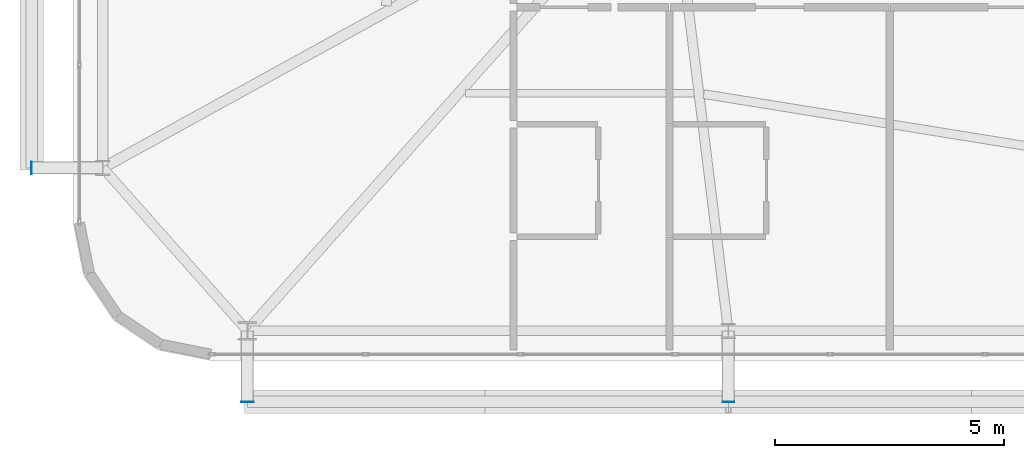
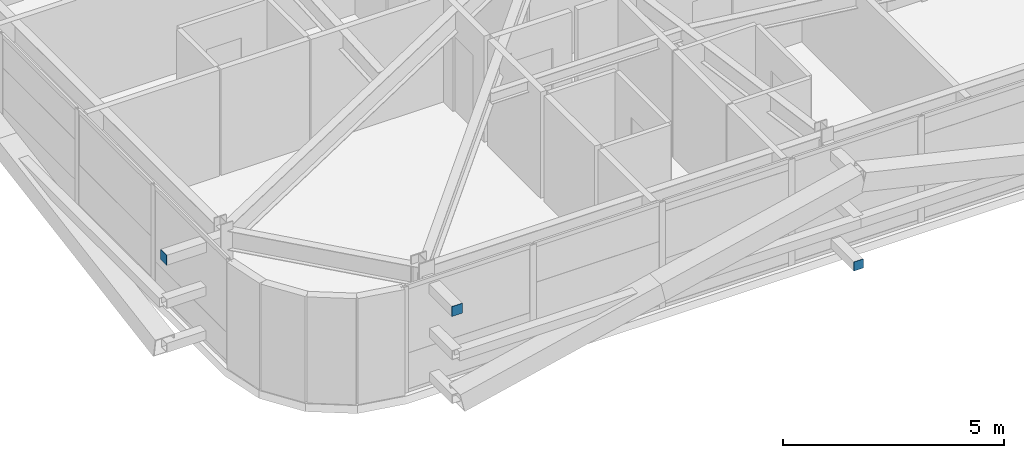
# One storey, part 44 of 59: 3 plates.
"""IFC4 building model written with IfcOpenShell, lengths in metres."""

from ifc_helpers import new_model, si_unit, direction, frame, origin, origin_2d, place, context, subcontext, project, spatial, rectangle, extrude, source, transform, mapped, material, layer, layer_set, type_object, element, save


model = new_model("IFC4")

# Units and contexts
model_context = context("Model", 3, precision=1e-05, world=origin(), true_north=direction((0.0, 1.0)))
body_context = subcontext(model_context, "Body", "Model", "MODEL_VIEW")
ifc_project = project(units=[si_unit("LENGTHUNIT", "METRE"), si_unit("AREAUNIT", "SQUARE_METRE"), si_unit("VOLUMEUNIT", "CUBIC_METRE"), si_unit("PLANEANGLEUNIT", "RADIAN"), si_unit("MASSUNIT", "GRAM", prefix="KILO")], contexts=[model_context])

# Site, building, storey
site_placement = place(None, origin())
site = spatial("IfcSite", under=ifc_project, at=site_placement, CompositionType="ELEMENT")
building_placement = place(site_placement, origin())
building = spatial("IfcBuilding", under=site, at=building_placement, Name="Taldren Reach Tower", CompositionType="ELEMENT")
storey_placement = place(building_placement, frame((0.0, 0.0, 23.10009765625)))
storey = spatial("IfcBuildingStorey", under=building, at=storey_placement, Name="L06", CompositionType="ELEMENT", Elevation=23.10009765625)

# Plates
ifc_material_1 = material(Name="Steel Gr 450 (C450L0)", Category="steel")
ifc_layer_1 = layer(ifc_material_1, 0.011962890625)
ifc_layer_set_1 = layer_set([ifc_layer_1], Name="Steel Gr 450 (C450L0)")
plate_type_1 = type_object("IfcPlateType", Name="PL-CAP-275", PredefinedType="SHEET", material=ifc_layer_set_1)
shared_shape_1 = source(origin(), body_context, "Body", "SweptSolid", [
    extrude(rectangle(XDim=0.27490234375, YDim=0.011962890625, at=origin_2d()), origin(), (0.0, 0.0, 1.0), 0.27490234375),
])
plate_1_placement = place(storey_placement, frame((8.800048828125, 0.593994140625, 2.512451171875), z_axis=(0.0, 0.0, 1.0), x_axis=(1.0, 0.0, 0.0)))
element("IfcPlate", 1, at=plate_1_placement, inside=storey, type_object=plate_type_1, Name="Tie strut end cap plate B1-S1 L06", PredefinedType="SHEET", context=body_context, shape_type="MappedRepresentation", body=[
    mapped(shared_shape_1, transform((0.0, 0.0, 0.0), scale=1.0)),
])
shared_shape_2 = source(origin(), body_context, "Body", "SweptSolid", [
    extrude(rectangle(XDim=0.011962890625, YDim=0.27490234375, at=origin_2d()), origin(), (0.0, 0.0, 1.0), 0.27490234375),
])
plate_2_placement = place(storey_placement, frame((4.093994140625, 5.699951171875, 2.512451171875), z_axis=(0.0, 0.0, 1.0), x_axis=(1.0, 0.0, 0.0)))
element("IfcPlate", 2, at=plate_2_placement, inside=storey, type_object=plate_type_1, Name="Tie strut end cap plate B1-W1 L06", PredefinedType="SHEET", context=body_context, shape_type="MappedRepresentation", body=[
    mapped(shared_shape_2, transform((0.0, 0.0, 0.0), scale=1.0)),
])
ifc_material_2 = material(Name="Steel Gr 350 (C350L0)", Category="steel")
ifc_layer_2 = layer(ifc_material_2, 0.011962890625)
ifc_layer_set_2 = layer_set([ifc_layer_2], Name="Steel Gr 350 (C350L0)")
plate_type_2 = type_object("IfcPlateType", Name="PL-CAP-250", PredefinedType="SHEET", material=ifc_layer_set_2)
shared_shape_3 = source(origin(), body_context, "Body", "SweptSolid", [
    extrude(rectangle(XDim=0.25, YDim=0.011962890625, at=origin_2d()), origin(), (0.0, 0.0, 1.0), 0.25),
])
plate_3_placement = place(storey_placement, frame((19.280029296875, 0.593994140625, 0.094970703125), z_axis=(0.0, 0.0, 1.0), x_axis=(1.0, 0.0, 0.0)))
element("IfcPlate", 3, at=plate_3_placement, inside=storey, type_object=plate_type_2, Name="Tie strut end cap plate B1-S2 L06", PredefinedType="SHEET", context=body_context, shape_type="MappedRepresentation", body=[
    mapped(shared_shape_3, transform((0.0, 0.0, 0.0), scale=1.0)),
])

save(model, "model.ifc")
